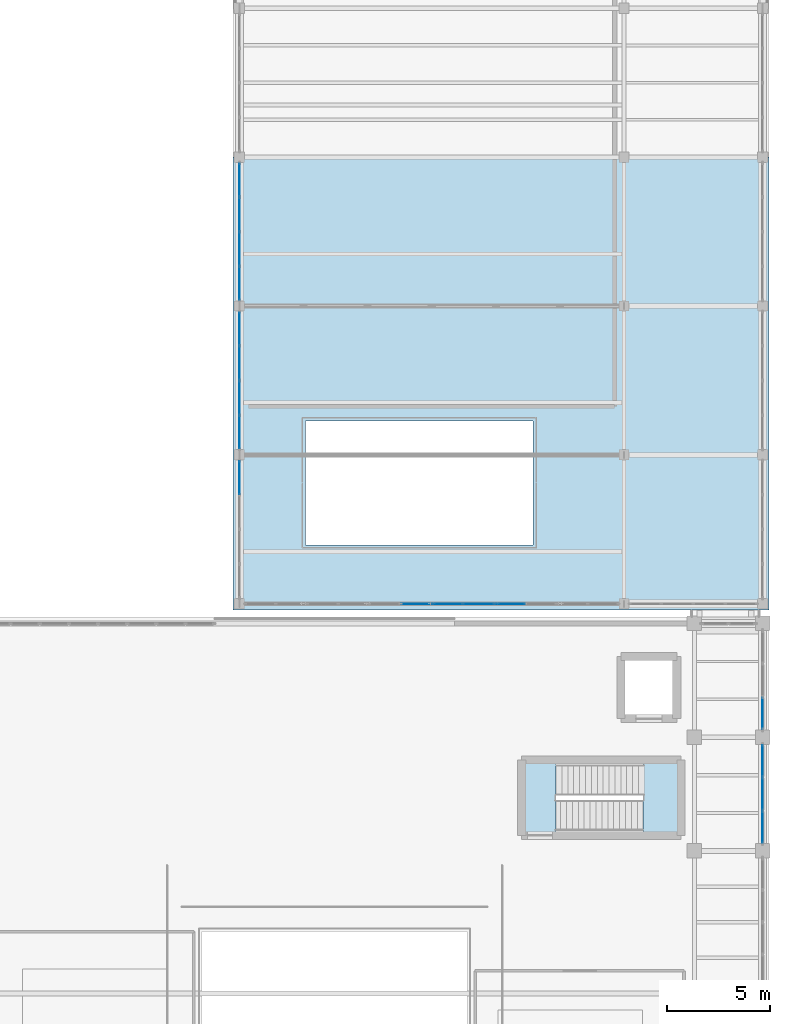
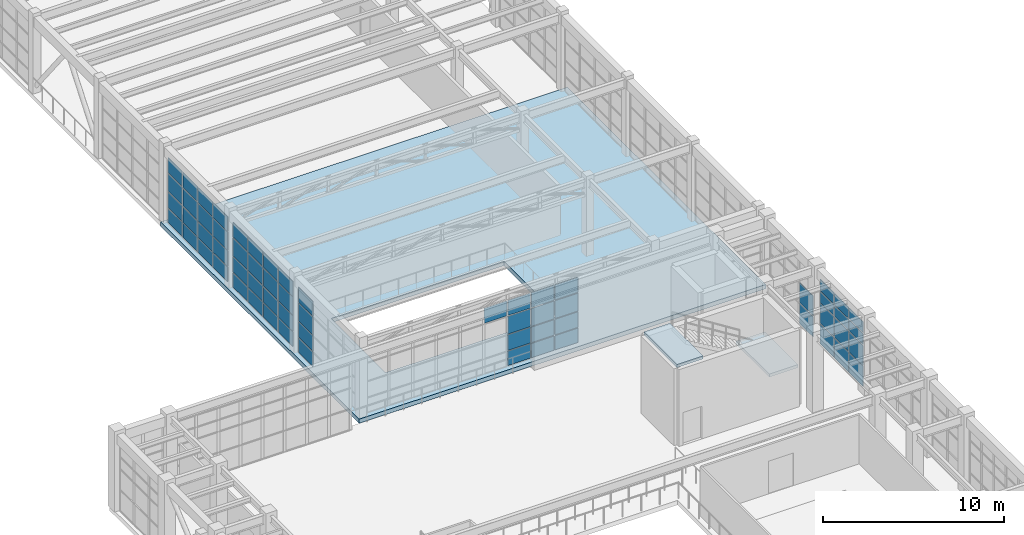
# One storey, part 78 of 103: 63 plates, 3 slabs, 7 elements without a shape of their own.
"""IFC4 building model written with IfcOpenShell, lengths in metres."""

from ifc_helpers import new_model, si_unit, direction, frame, origin, origin_2d, place, context, subcontext, project, spatial, polyline, rectangle, outline, extrude, material, layer, layer_set, type_object, element, aggregate, save


model = new_model("IFC4")

# Units and contexts
model_context = context("Model", 3, precision=1e-05, world=origin(), true_north=direction((0.0, 1.0)))
body_context = subcontext(model_context, "Body", "Model", "MODEL_VIEW")
ifc_project = project(units=[si_unit("LENGTHUNIT", "METRE"), si_unit("AREAUNIT", "SQUARE_METRE"), si_unit("VOLUMEUNIT", "CUBIC_METRE"), si_unit("PLANEANGLEUNIT", "RADIAN"), si_unit("MASSUNIT", "GRAM", prefix="KILO")], contexts=[model_context])

# Site, building, storey
site_placement = place(None, origin())
site = spatial("IfcSite", under=ifc_project, at=site_placement, CompositionType="ELEMENT")
building_placement = place(site_placement, origin())
building = spatial("IfcBuilding", under=site, at=building_placement, Name="Candilejo Ridge Gondola Terminal", CompositionType="ELEMENT")
storey_placement = place(building_placement, frame((0.0, 0.0, 9.0)))
storey = spatial("IfcBuildingStorey", under=building, at=storey_placement, Name="L02", CompositionType="ELEMENT", Elevation=9.0)

# Curtain wall, plates
ifc_material_1 = material(Name="Anodised aluminium AA 6063-T6", Category="aluminium")
ifc_layer_1 = layer(ifc_material_1, 0.169921875)
ifc_layer_set_1 = layer_set([ifc_layer_1], Name="ARC-CW-HALL-3800-485X449")
curtain_wall_type_1 = type_object("IfcCurtainWallType", Name="ARC-CW-HALL-3800-485X449", PredefinedType="NOTDEFINED", material=ifc_layer_set_1)
curtain_wall_1_placement = place(storey_placement, origin())
curtain_wall_1 = element("IfcCurtainWall", 1, at=curtain_wall_1_placement, inside=storey, type_object=curtain_wall_type_1, Name="Curtain wall V4 L02-141", PredefinedType="NOTDEFINED")
ifc_material_2 = material(Name="Low-E laminated double glazing 6+12A+6+1.52PVB+6 mm", Category="glass")
ifc_layer_2 = layer(ifc_material_2, 0.028076171875)
ifc_layer_set_2 = layer_set([ifc_layer_2], Name="ARC-CW-GLAZ-PANEL")
plate_type = type_object("IfcPlateType", Name="ARC-CW-GLAZ-PANEL", PredefinedType="CURTAIN_PANEL", material=ifc_layer_set_2)
plate_1_placement = place(storey_placement, frame((175.300048828125, 37.849609375, 0.06005859375), z_axis=(0.0, 0.0, 1.0), x_axis=(0.0, 1.0, 0.0)))
plate_1 = element("IfcPlate", 2, at=plate_1_placement, type_object=plate_type, Name="CW-48X44 panel 1.1", PredefinedType="CURTAIN_PANEL", context=body_context, shape_type="SweptSolid", body=[
    extrude(rectangle(XDim=1.519287109375, YDim=0.028076171875, at=origin_2d()), origin(), (0.0, 0.0, 1.0), 1.360107421875),
])
plate_2_placement = place(storey_placement, frame((175.300048828125, 37.849609375, 1.47998046875), z_axis=(0.0, 0.0, 1.0), x_axis=(0.0, 1.0, 0.0)))
plate_2 = element("IfcPlate", 3, at=plate_2_placement, type_object=plate_type, Name="CW-48X44 panel 1.2", PredefinedType="CURTAIN_PANEL", context=body_context, shape_type="SweptSolid", body=[
    extrude(rectangle(XDim=1.519287109375, YDim=0.028076171875, at=origin_2d()), origin(), (0.0, 0.0, 1.0), 1.340087890625),
])
plate_3_placement = place(storey_placement, frame((175.300048828125, 37.849609375, 2.8798828125), z_axis=(0.0, 0.0, 1.0), x_axis=(0.0, 1.0, 0.0)))
plate_3 = element("IfcPlate", 4, at=plate_3_placement, type_object=plate_type, Name="CW-48X44 panel 1.3", PredefinedType="CURTAIN_PANEL", context=body_context, shape_type="SweptSolid", body=[
    extrude(rectangle(XDim=1.519287109375, YDim=0.028076171875, at=origin_2d()), origin(), (0.0, 0.0, 1.0), 0.739990234375),
])
plate_4_placement = place(storey_placement, frame((175.300048828125, 37.849609375, 3.679931640625), z_axis=(0.0, 0.0, 1.0), x_axis=(0.0, 1.0, 0.0)))
plate_4 = element("IfcPlate", 5, at=plate_4_placement, type_object=plate_type, Name="CW-48X44 panel 1.4", PredefinedType="CURTAIN_PANEL", context=body_context, shape_type="SweptSolid", body=[
    extrude(rectangle(XDim=1.519287109375, YDim=0.028076171875, at=origin_2d()), origin(), (0.0, 0.0, 1.0), 0.75),
])
plate_5_placement = place(storey_placement, frame((175.300048828125, 39.449951171875, 0.06005859375), z_axis=(0.0, 0.0, 1.0), x_axis=(0.0, 1.0, 0.0)))
plate_5 = element("IfcPlate", 6, at=plate_5_placement, type_object=plate_type, Name="CW-48X44 panel 2.1", PredefinedType="CURTAIN_PANEL", context=body_context, shape_type="SweptSolid", body=[
    extrude(rectangle(XDim=1.5517578125, YDim=0.028076171875, at=origin_2d()), origin(), (0.0, 0.0, 1.0), 1.360107421875),
])
plate_6_placement = place(storey_placement, frame((175.300048828125, 39.449951171875, 1.47998046875), z_axis=(0.0, 0.0, 1.0), x_axis=(0.0, 1.0, 0.0)))
plate_6 = element("IfcPlate", 7, at=plate_6_placement, type_object=plate_type, Name="CW-48X44 panel 2.2", PredefinedType="CURTAIN_PANEL", context=body_context, shape_type="SweptSolid", body=[
    extrude(rectangle(XDim=1.5517578125, YDim=0.028076171875, at=origin_2d()), origin(), (0.0, 0.0, 1.0), 1.340087890625),
])
plate_7_placement = place(storey_placement, frame((175.300048828125, 39.449951171875, 2.8798828125), z_axis=(0.0, 0.0, 1.0), x_axis=(0.0, 1.0, 0.0)))
plate_7 = element("IfcPlate", 8, at=plate_7_placement, type_object=plate_type, Name="CW-48X44 panel 2.3", PredefinedType="CURTAIN_PANEL", context=body_context, shape_type="SweptSolid", body=[
    extrude(rectangle(XDim=1.5517578125, YDim=0.028076171875, at=origin_2d()), origin(), (0.0, 0.0, 1.0), 0.739990234375),
])
plate_8_placement = place(storey_placement, frame((175.300048828125, 39.449951171875, 3.679931640625), z_axis=(0.0, 0.0, 1.0), x_axis=(0.0, 1.0, 0.0)))
plate_8 = element("IfcPlate", 9, at=plate_8_placement, type_object=plate_type, Name="CW-48X44 panel 2.4", PredefinedType="CURTAIN_PANEL", context=body_context, shape_type="SweptSolid", body=[
    extrude(rectangle(XDim=1.5517578125, YDim=0.028076171875, at=origin_2d()), origin(), (0.0, 0.0, 1.0), 0.75),
])
plate_9_placement = place(storey_placement, frame((175.300048828125, 41.050537109375, 0.06005859375), z_axis=(0.0, 0.0, 1.0), x_axis=(0.0, 1.0, 0.0)))
plate_9 = element("IfcPlate", 10, at=plate_9_placement, type_object=plate_type, Name="CW-48X44 panel 3.1", PredefinedType="CURTAIN_PANEL", context=body_context, shape_type="SweptSolid", body=[
    extrude(rectangle(XDim=1.519287109375, YDim=0.028076171875, at=origin_2d()), origin(), (0.0, 0.0, 1.0), 1.360107421875),
])
plate_10_placement = place(storey_placement, frame((175.300048828125, 41.050537109375, 1.47998046875), z_axis=(0.0, 0.0, 1.0), x_axis=(0.0, 1.0, 0.0)))
plate_10 = element("IfcPlate", 11, at=plate_10_placement, type_object=plate_type, Name="CW-48X44 panel 3.2", PredefinedType="CURTAIN_PANEL", context=body_context, shape_type="SweptSolid", body=[
    extrude(rectangle(XDim=1.519287109375, YDim=0.028076171875, at=origin_2d()), origin(), (0.0, 0.0, 1.0), 1.340087890625),
])
plate_11_placement = place(storey_placement, frame((175.300048828125, 41.050537109375, 2.8798828125), z_axis=(0.0, 0.0, 1.0), x_axis=(0.0, 1.0, 0.0)))
plate_11 = element("IfcPlate", 12, at=plate_11_placement, type_object=plate_type, Name="CW-48X44 panel 3.3", PredefinedType="CURTAIN_PANEL", context=body_context, shape_type="SweptSolid", body=[
    extrude(rectangle(XDim=1.519287109375, YDim=0.028076171875, at=origin_2d()), origin(), (0.0, 0.0, 1.0), 0.739990234375),
])
plate_12_placement = place(storey_placement, frame((175.300048828125, 41.050537109375, 3.679931640625), z_axis=(0.0, 0.0, 1.0), x_axis=(0.0, 1.0, 0.0)))
plate_12 = element("IfcPlate", 13, at=plate_12_placement, type_object=plate_type, Name="CW-48X44 panel 3.4", PredefinedType="CURTAIN_PANEL", context=body_context, shape_type="SweptSolid", body=[
    extrude(rectangle(XDim=1.519287109375, YDim=0.028076171875, at=origin_2d()), origin(), (0.0, 0.0, 1.0), 0.75),
])
aggregate(curtain_wall_1, [plate_1, plate_2, plate_3, plate_4, plate_5, plate_6, plate_7, plate_8, plate_9, plate_10, plate_11, plate_12])

curtain_wall_2_placement = place(storey_placement, origin())
curtain_wall_2 = element("IfcCurtainWall", 14, at=curtain_wall_2_placement, inside=storey, type_object=curtain_wall_type_1, Name="Curtain wall V4 L02-143", PredefinedType="NOTDEFINED")
plate_13_placement = place(storey_placement, frame((175.300048828125, 43.349609375, 0.06005859375), z_axis=(0.0, 0.0, 1.0), x_axis=(0.0, 1.0, 0.0)))
plate_13 = element("IfcPlate", 15, at=plate_13_placement, type_object=plate_type, Name="CW-48X44 panel 1.1", PredefinedType="CURTAIN_PANEL", context=body_context, shape_type="SweptSolid", body=[
    extrude(rectangle(XDim=1.519287109375, YDim=0.028076171875, at=origin_2d()), origin(), (0.0, 0.0, 1.0), 1.360107421875),
])
plate_14_placement = place(storey_placement, frame((175.300048828125, 43.349609375, 1.47998046875), z_axis=(0.0, 0.0, 1.0), x_axis=(0.0, 1.0, 0.0)))
plate_14 = element("IfcPlate", 16, at=plate_14_placement, type_object=plate_type, Name="CW-48X44 panel 1.2", PredefinedType="CURTAIN_PANEL", context=body_context, shape_type="SweptSolid", body=[
    extrude(rectangle(XDim=1.519287109375, YDim=0.028076171875, at=origin_2d()), origin(), (0.0, 0.0, 1.0), 1.340087890625),
])
aggregate(curtain_wall_2, [plate_13, plate_14])

ifc_material_3 = material(Name="Anodised aluminium AA 6063-T6", Category="aluminium")
ifc_layer_3 = layer(ifc_material_3, 0.169921875)
ifc_layer_set_3 = layer_set([ifc_layer_3], Name="ARC-CW-TOWER-3000-670X449")
curtain_wall_type_2 = type_object("IfcCurtainWallType", Name="ARC-CW-TOWER-3000-670X449", PredefinedType="NOTDEFINED", material=ifc_layer_set_3)
curtain_wall_3_placement = place(storey_placement, origin())
curtain_wall_3 = element("IfcCurtainWall", 17, at=curtain_wall_3_placement, inside=storey, type_object=curtain_wall_type_2, Name="Curtain wall V5 L02-174", PredefinedType="NOTDEFINED")
plate_15_placement = place(storey_placement, frame((150.0, 54.746337890625, 0.06005859375), z_axis=(0.0, 0.0, 1.0), x_axis=(0.0, 1.0, 0.0)))
plate_15 = element("IfcPlate", 18, at=plate_15_placement, type_object=plate_type, Name="CW-67X44 panel 4.1", PredefinedType="CURTAIN_PANEL", context=body_context, shape_type="SweptSolid", body=[
    extrude(rectangle(XDim=1.577392578125, YDim=0.028076171875, at=origin_2d()), origin(), (0.0, 0.0, 1.0), 0.9599609375),
])
plate_16_placement = place(storey_placement, frame((150.0, 54.746337890625, 1.080078125), z_axis=(0.0, 0.0, 1.0), x_axis=(0.0, 1.0, 0.0)))
plate_16 = element("IfcPlate", 19, at=plate_16_placement, type_object=plate_type, Name="CW-67X44 panel 4.2", PredefinedType="CURTAIN_PANEL", context=body_context, shape_type="SweptSolid", body=[
    extrude(rectangle(XDim=1.577392578125, YDim=0.028076171875, at=origin_2d()), origin(), (0.0, 0.0, 1.0), 1.0400390625),
])
plate_17_placement = place(storey_placement, frame((150.0, 54.746337890625, 2.179931640625), z_axis=(0.0, 0.0, 1.0), x_axis=(0.0, 1.0, 0.0)))
plate_17 = element("IfcPlate", 20, at=plate_17_placement, type_object=plate_type, Name="CW-67X44 panel 4.3", PredefinedType="CURTAIN_PANEL", context=body_context, shape_type="SweptSolid", body=[
    extrude(rectangle(XDim=1.577392578125, YDim=0.028076171875, at=origin_2d()), origin(), (0.0, 0.0, 1.0), 1.18994140625),
])
plate_18_placement = place(storey_placement, frame((150.0, 54.746337890625, 3.429931640625), z_axis=(0.0, 0.0, 1.0), x_axis=(0.0, 1.0, 0.0)))
plate_18 = element("IfcPlate", 21, at=plate_18_placement, type_object=plate_type, Name="CW-67X44 panel 4.4", PredefinedType="CURTAIN_PANEL", context=body_context, shape_type="SweptSolid", body=[
    extrude(rectangle(XDim=1.577392578125, YDim=0.028076171875, at=origin_2d()), origin(), (0.0, 0.0, 1.0), 1.0),
])
aggregate(curtain_wall_3, [plate_15, plate_16, plate_17, plate_18])

curtain_wall_4_placement = place(storey_placement, origin())
curtain_wall_4 = element("IfcCurtainWall", 22, at=curtain_wall_4_placement, inside=storey, type_object=curtain_wall_type_2, Name="Curtain wall V5 L02-176", PredefinedType="NOTDEFINED")
plate_19_placement = place(storey_placement, frame((150.0, 56.953857421875, 0.06005859375), z_axis=(0.0, 0.0, 1.0), x_axis=(0.0, 1.0, 0.0)))
plate_19 = element("IfcPlate", 23, at=plate_19_placement, type_object=plate_type, Name="CW-67X44 panel 1.1", PredefinedType="CURTAIN_PANEL", context=body_context, shape_type="SweptSolid", body=[
    extrude(rectangle(XDim=1.577392578125, YDim=0.028076171875, at=origin_2d()), origin(), (0.0, 0.0, 1.0), 0.9599609375),
])
plate_20_placement = place(storey_placement, frame((150.0, 56.953857421875, 1.080078125), z_axis=(0.0, 0.0, 1.0), x_axis=(0.0, 1.0, 0.0)))
plate_20 = element("IfcPlate", 24, at=plate_20_placement, type_object=plate_type, Name="CW-67X44 panel 1.2", PredefinedType="CURTAIN_PANEL", context=body_context, shape_type="SweptSolid", body=[
    extrude(rectangle(XDim=1.577392578125, YDim=0.028076171875, at=origin_2d()), origin(), (0.0, 0.0, 1.0), 1.0400390625),
])
plate_21_placement = place(storey_placement, frame((150.0, 56.953857421875, 2.179931640625), z_axis=(0.0, 0.0, 1.0), x_axis=(0.0, 1.0, 0.0)))
plate_21 = element("IfcPlate", 25, at=plate_21_placement, type_object=plate_type, Name="CW-67X44 panel 1.3", PredefinedType="CURTAIN_PANEL", context=body_context, shape_type="SweptSolid", body=[
    extrude(rectangle(XDim=1.577392578125, YDim=0.028076171875, at=origin_2d()), origin(), (0.0, 0.0, 1.0), 1.18994140625),
])
plate_22_placement = place(storey_placement, frame((150.0, 56.953857421875, 3.429931640625), z_axis=(0.0, 0.0, 1.0), x_axis=(0.0, 1.0, 0.0)))
plate_22 = element("IfcPlate", 26, at=plate_22_placement, type_object=plate_type, Name="CW-67X44 panel 1.4", PredefinedType="CURTAIN_PANEL", context=body_context, shape_type="SweptSolid", body=[
    extrude(rectangle(XDim=1.577392578125, YDim=0.028076171875, at=origin_2d()), origin(), (0.0, 0.0, 1.0), 1.0),
])
plate_23_placement = place(storey_placement, frame((150.0, 58.612548828125, 0.06005859375), z_axis=(0.0, 0.0, 1.0), x_axis=(0.0, 1.0, 0.0)))
plate_23 = element("IfcPlate", 27, at=plate_23_placement, type_object=plate_type, Name="CW-67X44 panel 2.1", PredefinedType="CURTAIN_PANEL", context=body_context, shape_type="SweptSolid", body=[
    extrude(rectangle(XDim=1.610107421875, YDim=0.028076171875, at=origin_2d()), origin(), (0.0, 0.0, 1.0), 0.9599609375),
])
plate_24_placement = place(storey_placement, frame((150.0, 58.612548828125, 1.080078125), z_axis=(0.0, 0.0, 1.0), x_axis=(0.0, 1.0, 0.0)))
plate_24 = element("IfcPlate", 28, at=plate_24_placement, type_object=plate_type, Name="CW-67X44 panel 2.2", PredefinedType="CURTAIN_PANEL", context=body_context, shape_type="SweptSolid", body=[
    extrude(rectangle(XDim=1.610107421875, YDim=0.028076171875, at=origin_2d()), origin(), (0.0, 0.0, 1.0), 1.0400390625),
])
plate_25_placement = place(storey_placement, frame((150.0, 58.612548828125, 2.179931640625), z_axis=(0.0, 0.0, 1.0), x_axis=(0.0, 1.0, 0.0)))
plate_25 = element("IfcPlate", 29, at=plate_25_placement, type_object=plate_type, Name="CW-67X44 panel 2.3", PredefinedType="CURTAIN_PANEL", context=body_context, shape_type="SweptSolid", body=[
    extrude(rectangle(XDim=1.610107421875, YDim=0.028076171875, at=origin_2d()), origin(), (0.0, 0.0, 1.0), 1.18994140625),
])
plate_26_placement = place(storey_placement, frame((150.0, 58.612548828125, 3.429931640625), z_axis=(0.0, 0.0, 1.0), x_axis=(0.0, 1.0, 0.0)))
plate_26 = element("IfcPlate", 30, at=plate_26_placement, type_object=plate_type, Name="CW-67X44 panel 2.4", PredefinedType="CURTAIN_PANEL", context=body_context, shape_type="SweptSolid", body=[
    extrude(rectangle(XDim=1.610107421875, YDim=0.028076171875, at=origin_2d()), origin(), (0.0, 0.0, 1.0), 1.0),
])
plate_27_placement = place(storey_placement, frame((150.0, 60.28759765625, 0.06005859375), z_axis=(0.0, 0.0, 1.0), x_axis=(0.0, 1.0, 0.0)))
plate_27 = element("IfcPlate", 31, at=plate_27_placement, type_object=plate_type, Name="CW-67X44 panel 3.1", PredefinedType="CURTAIN_PANEL", context=body_context, shape_type="SweptSolid", body=[
    extrude(rectangle(XDim=1.610107421875, YDim=0.028076171875, at=origin_2d()), origin(), (0.0, 0.0, 1.0), 0.9599609375),
])
plate_28_placement = place(storey_placement, frame((150.0, 60.28759765625, 1.080078125), z_axis=(0.0, 0.0, 1.0), x_axis=(0.0, 1.0, 0.0)))
plate_28 = element("IfcPlate", 32, at=plate_28_placement, type_object=plate_type, Name="CW-67X44 panel 3.2", PredefinedType="CURTAIN_PANEL", context=body_context, shape_type="SweptSolid", body=[
    extrude(rectangle(XDim=1.610107421875, YDim=0.028076171875, at=origin_2d()), origin(), (0.0, 0.0, 1.0), 1.0400390625),
])
plate_29_placement = place(storey_placement, frame((150.0, 60.28759765625, 2.179931640625), z_axis=(0.0, 0.0, 1.0), x_axis=(0.0, 1.0, 0.0)))
plate_29 = element("IfcPlate", 33, at=plate_29_placement, type_object=plate_type, Name="CW-67X44 panel 3.3", PredefinedType="CURTAIN_PANEL", context=body_context, shape_type="SweptSolid", body=[
    extrude(rectangle(XDim=1.610107421875, YDim=0.028076171875, at=origin_2d()), origin(), (0.0, 0.0, 1.0), 1.18994140625),
])
plate_30_placement = place(storey_placement, frame((150.0, 60.28759765625, 3.429931640625), z_axis=(0.0, 0.0, 1.0), x_axis=(0.0, 1.0, 0.0)))
plate_30 = element("IfcPlate", 34, at=plate_30_placement, type_object=plate_type, Name="CW-67X44 panel 3.4", PredefinedType="CURTAIN_PANEL", context=body_context, shape_type="SweptSolid", body=[
    extrude(rectangle(XDim=1.610107421875, YDim=0.028076171875, at=origin_2d()), origin(), (0.0, 0.0, 1.0), 1.0),
])
plate_31_placement = place(storey_placement, frame((150.0, 61.9462890625, 0.06005859375), z_axis=(0.0, 0.0, 1.0), x_axis=(0.0, 1.0, 0.0)))
plate_31 = element("IfcPlate", 35, at=plate_31_placement, type_object=plate_type, Name="CW-67X44 panel 4.1", PredefinedType="CURTAIN_PANEL", context=body_context, shape_type="SweptSolid", body=[
    extrude(rectangle(XDim=1.577392578125, YDim=0.028076171875, at=origin_2d()), origin(), (0.0, 0.0, 1.0), 0.9599609375),
])
plate_32_placement = place(storey_placement, frame((150.0, 61.9462890625, 1.080078125), z_axis=(0.0, 0.0, 1.0), x_axis=(0.0, 1.0, 0.0)))
plate_32 = element("IfcPlate", 36, at=plate_32_placement, type_object=plate_type, Name="CW-67X44 panel 4.2", PredefinedType="CURTAIN_PANEL", context=body_context, shape_type="SweptSolid", body=[
    extrude(rectangle(XDim=1.577392578125, YDim=0.028076171875, at=origin_2d()), origin(), (0.0, 0.0, 1.0), 1.0400390625),
])
plate_33_placement = place(storey_placement, frame((150.0, 61.9462890625, 2.179931640625), z_axis=(0.0, 0.0, 1.0), x_axis=(0.0, 1.0, 0.0)))
plate_33 = element("IfcPlate", 37, at=plate_33_placement, type_object=plate_type, Name="CW-67X44 panel 4.3", PredefinedType="CURTAIN_PANEL", context=body_context, shape_type="SweptSolid", body=[
    extrude(rectangle(XDim=1.577392578125, YDim=0.028076171875, at=origin_2d()), origin(), (0.0, 0.0, 1.0), 1.18994140625),
])
plate_34_placement = place(storey_placement, frame((150.0, 61.9462890625, 3.429931640625), z_axis=(0.0, 0.0, 1.0), x_axis=(0.0, 1.0, 0.0)))
plate_34 = element("IfcPlate", 38, at=plate_34_placement, type_object=plate_type, Name="CW-67X44 panel 4.4", PredefinedType="CURTAIN_PANEL", context=body_context, shape_type="SweptSolid", body=[
    extrude(rectangle(XDim=1.577392578125, YDim=0.028076171875, at=origin_2d()), origin(), (0.0, 0.0, 1.0), 1.0),
])
aggregate(curtain_wall_4, [plate_19, plate_20, plate_21, plate_22, plate_23, plate_24, plate_25, plate_26, plate_27, plate_28, plate_29, plate_30, plate_31, plate_32, plate_33, plate_34])

curtain_wall_5_placement = place(storey_placement, origin())
curtain_wall_5 = element("IfcCurtainWall", 39, at=curtain_wall_5_placement, inside=storey, type_object=curtain_wall_type_2, Name="Curtain wall V5 L02-178", PredefinedType="NOTDEFINED")
plate_35_placement = place(storey_placement, frame((150.0, 64.15380859375, 0.06005859375), z_axis=(0.0, 0.0, 1.0), x_axis=(0.0, 1.0, 0.0)))
plate_35 = element("IfcPlate", 40, at=plate_35_placement, type_object=plate_type, Name="CW-67X44 panel 1.1", PredefinedType="CURTAIN_PANEL", context=body_context, shape_type="SweptSolid", body=[
    extrude(rectangle(XDim=1.577392578125, YDim=0.028076171875, at=origin_2d()), origin(), (0.0, 0.0, 1.0), 0.9599609375),
])
plate_36_placement = place(storey_placement, frame((150.0, 64.15380859375, 1.080078125), z_axis=(0.0, 0.0, 1.0), x_axis=(0.0, 1.0, 0.0)))
plate_36 = element("IfcPlate", 41, at=plate_36_placement, type_object=plate_type, Name="CW-67X44 panel 1.2", PredefinedType="CURTAIN_PANEL", context=body_context, shape_type="SweptSolid", body=[
    extrude(rectangle(XDim=1.577392578125, YDim=0.028076171875, at=origin_2d()), origin(), (0.0, 0.0, 1.0), 1.0400390625),
])
plate_37_placement = place(storey_placement, frame((150.0, 64.15380859375, 2.179931640625), z_axis=(0.0, 0.0, 1.0), x_axis=(0.0, 1.0, 0.0)))
plate_37 = element("IfcPlate", 42, at=plate_37_placement, type_object=plate_type, Name="CW-67X44 panel 1.3", PredefinedType="CURTAIN_PANEL", context=body_context, shape_type="SweptSolid", body=[
    extrude(rectangle(XDim=1.577392578125, YDim=0.028076171875, at=origin_2d()), origin(), (0.0, 0.0, 1.0), 1.18994140625),
])
plate_38_placement = place(storey_placement, frame((150.0, 64.15380859375, 3.429931640625), z_axis=(0.0, 0.0, 1.0), x_axis=(0.0, 1.0, 0.0)))
plate_38 = element("IfcPlate", 43, at=plate_38_placement, type_object=plate_type, Name="CW-67X44 panel 1.4", PredefinedType="CURTAIN_PANEL", context=body_context, shape_type="SweptSolid", body=[
    extrude(rectangle(XDim=1.577392578125, YDim=0.028076171875, at=origin_2d()), origin(), (0.0, 0.0, 1.0), 1.0),
])
plate_39_placement = place(storey_placement, frame((150.0, 65.8125, 0.06005859375), z_axis=(0.0, 0.0, 1.0), x_axis=(0.0, 1.0, 0.0)))
plate_39 = element("IfcPlate", 44, at=plate_39_placement, type_object=plate_type, Name="CW-67X44 panel 2.1", PredefinedType="CURTAIN_PANEL", context=body_context, shape_type="SweptSolid", body=[
    extrude(rectangle(XDim=1.610107421875, YDim=0.028076171875, at=origin_2d()), origin(), (0.0, 0.0, 1.0), 0.9599609375),
])
plate_40_placement = place(storey_placement, frame((150.0, 65.8125, 1.080078125), z_axis=(0.0, 0.0, 1.0), x_axis=(0.0, 1.0, 0.0)))
plate_40 = element("IfcPlate", 45, at=plate_40_placement, type_object=plate_type, Name="CW-67X44 panel 2.2", PredefinedType="CURTAIN_PANEL", context=body_context, shape_type="SweptSolid", body=[
    extrude(rectangle(XDim=1.610107421875, YDim=0.028076171875, at=origin_2d()), origin(), (0.0, 0.0, 1.0), 1.0400390625),
])
plate_41_placement = place(storey_placement, frame((150.0, 65.8125, 2.179931640625), z_axis=(0.0, 0.0, 1.0), x_axis=(0.0, 1.0, 0.0)))
plate_41 = element("IfcPlate", 46, at=plate_41_placement, type_object=plate_type, Name="CW-67X44 panel 2.3", PredefinedType="CURTAIN_PANEL", context=body_context, shape_type="SweptSolid", body=[
    extrude(rectangle(XDim=1.610107421875, YDim=0.028076171875, at=origin_2d()), origin(), (0.0, 0.0, 1.0), 1.18994140625),
])
plate_42_placement = place(storey_placement, frame((150.0, 65.8125, 3.429931640625), z_axis=(0.0, 0.0, 1.0), x_axis=(0.0, 1.0, 0.0)))
plate_42 = element("IfcPlate", 47, at=plate_42_placement, type_object=plate_type, Name="CW-67X44 panel 2.4", PredefinedType="CURTAIN_PANEL", context=body_context, shape_type="SweptSolid", body=[
    extrude(rectangle(XDim=1.610107421875, YDim=0.028076171875, at=origin_2d()), origin(), (0.0, 0.0, 1.0), 1.0),
])
plate_43_placement = place(storey_placement, frame((150.0, 67.487548828125, 0.06005859375), z_axis=(0.0, 0.0, 1.0), x_axis=(0.0, 1.0, 0.0)))
plate_43 = element("IfcPlate", 48, at=plate_43_placement, type_object=plate_type, Name="CW-67X44 panel 3.1", PredefinedType="CURTAIN_PANEL", context=body_context, shape_type="SweptSolid", body=[
    extrude(rectangle(XDim=1.610107421875, YDim=0.028076171875, at=origin_2d()), origin(), (0.0, 0.0, 1.0), 0.9599609375),
])
plate_44_placement = place(storey_placement, frame((150.0, 67.487548828125, 1.080078125), z_axis=(0.0, 0.0, 1.0), x_axis=(0.0, 1.0, 0.0)))
plate_44 = element("IfcPlate", 49, at=plate_44_placement, type_object=plate_type, Name="CW-67X44 panel 3.2", PredefinedType="CURTAIN_PANEL", context=body_context, shape_type="SweptSolid", body=[
    extrude(rectangle(XDim=1.610107421875, YDim=0.028076171875, at=origin_2d()), origin(), (0.0, 0.0, 1.0), 1.0400390625),
])
plate_45_placement = place(storey_placement, frame((150.0, 67.487548828125, 2.179931640625), z_axis=(0.0, 0.0, 1.0), x_axis=(0.0, 1.0, 0.0)))
plate_45 = element("IfcPlate", 50, at=plate_45_placement, type_object=plate_type, Name="CW-67X44 panel 3.3", PredefinedType="CURTAIN_PANEL", context=body_context, shape_type="SweptSolid", body=[
    extrude(rectangle(XDim=1.610107421875, YDim=0.028076171875, at=origin_2d()), origin(), (0.0, 0.0, 1.0), 1.18994140625),
])
plate_46_placement = place(storey_placement, frame((150.0, 67.487548828125, 3.429931640625), z_axis=(0.0, 0.0, 1.0), x_axis=(0.0, 1.0, 0.0)))
plate_46 = element("IfcPlate", 51, at=plate_46_placement, type_object=plate_type, Name="CW-67X44 panel 3.4", PredefinedType="CURTAIN_PANEL", context=body_context, shape_type="SweptSolid", body=[
    extrude(rectangle(XDim=1.610107421875, YDim=0.028076171875, at=origin_2d()), origin(), (0.0, 0.0, 1.0), 1.0),
])
plate_47_placement = place(storey_placement, frame((150.0, 69.146240234375, 0.06005859375), z_axis=(0.0, 0.0, 1.0), x_axis=(0.0, 1.0, 0.0)))
plate_47 = element("IfcPlate", 52, at=plate_47_placement, type_object=plate_type, Name="CW-67X44 panel 4.1", PredefinedType="CURTAIN_PANEL", context=body_context, shape_type="SweptSolid", body=[
    extrude(rectangle(XDim=1.577392578125, YDim=0.028076171875, at=origin_2d()), origin(), (0.0, 0.0, 1.0), 0.9599609375),
])
plate_48_placement = place(storey_placement, frame((150.0, 69.146240234375, 1.080078125), z_axis=(0.0, 0.0, 1.0), x_axis=(0.0, 1.0, 0.0)))
plate_48 = element("IfcPlate", 53, at=plate_48_placement, type_object=plate_type, Name="CW-67X44 panel 4.2", PredefinedType="CURTAIN_PANEL", context=body_context, shape_type="SweptSolid", body=[
    extrude(rectangle(XDim=1.577392578125, YDim=0.028076171875, at=origin_2d()), origin(), (0.0, 0.0, 1.0), 1.0400390625),
])
plate_49_placement = place(storey_placement, frame((150.0, 69.146240234375, 2.179931640625), z_axis=(0.0, 0.0, 1.0), x_axis=(0.0, 1.0, 0.0)))
plate_49 = element("IfcPlate", 54, at=plate_49_placement, type_object=plate_type, Name="CW-67X44 panel 4.3", PredefinedType="CURTAIN_PANEL", context=body_context, shape_type="SweptSolid", body=[
    extrude(rectangle(XDim=1.577392578125, YDim=0.028076171875, at=origin_2d()), origin(), (0.0, 0.0, 1.0), 1.18994140625),
])
plate_50_placement = place(storey_placement, frame((150.0, 69.146240234375, 3.429931640625), z_axis=(0.0, 0.0, 1.0), x_axis=(0.0, 1.0, 0.0)))
plate_50 = element("IfcPlate", 55, at=plate_50_placement, type_object=plate_type, Name="CW-67X44 panel 4.4", PredefinedType="CURTAIN_PANEL", context=body_context, shape_type="SweptSolid", body=[
    extrude(rectangle(XDim=1.577392578125, YDim=0.028076171875, at=origin_2d()), origin(), (0.0, 0.0, 1.0), 1.0),
])
aggregate(curtain_wall_5, [plate_35, plate_36, plate_37, plate_38, plate_39, plate_40, plate_41, plate_42, plate_43, plate_44, plate_45, plate_46, plate_47, plate_48, plate_49, plate_50])

ifc_material_4 = material(Name="Anodised aluminium AA 6063-T6", Category="aluminium")
ifc_layer_4 = layer(ifc_material_4, 0.169921875)
ifc_layer_set_4 = layer_set([ifc_layer_4], Name="ARC-CW-TOWER-3000-1810X449")
curtain_wall_type_3 = type_object("IfcCurtainWallType", Name="ARC-CW-TOWER-3000-1810X449", PredefinedType="NOTDEFINED", material=ifc_layer_set_4)
curtain_wall_6_placement = place(storey_placement, origin())
curtain_wall_6 = element("IfcCurtainWall", 56, at=curtain_wall_6_placement, inside=storey, type_object=curtain_wall_type_3, Name="Curtain wall V5 L02-192", PredefinedType="NOTDEFINED")
plate_51_placement = place(storey_placement, frame((158.5458984375, 48.64990234375, 3.429931640625), z_axis=(0.0, 0.0, 1.0), x_axis=(1.0, 0.0, 0.0)))
plate_51 = element("IfcPlate", 57, at=plate_51_placement, type_object=plate_type, Name="CW-181X44 panel 6.4", PredefinedType="CURTAIN_PANEL", context=body_context, shape_type="SweptSolid", body=[
    extrude(rectangle(XDim=1.443359375, YDim=0.028076171875, at=origin_2d()), origin(), (0.0, 0.0, 1.0), 1.0),
])
plate_52_placement = place(storey_placement, frame((160.05419921875, 48.64990234375, 0.06005859375), z_axis=(0.0, 0.0, 1.0), x_axis=(1.0, 0.0, 0.0)))
plate_52 = element("IfcPlate", 58, at=plate_52_placement, type_object=plate_type, Name="CW-181X44 panel 7.1", PredefinedType="CURTAIN_PANEL", context=body_context, shape_type="SweptSolid", body=[
    extrude(rectangle(XDim=1.443359375, YDim=0.028076171875, at=origin_2d()), origin(), (0.0, 0.0, 1.0), 0.9599609375),
])
plate_53_placement = place(storey_placement, frame((160.05419921875, 48.64990234375, 1.080078125), z_axis=(0.0, 0.0, 1.0), x_axis=(1.0, 0.0, 0.0)))
plate_53 = element("IfcPlate", 59, at=plate_53_placement, type_object=plate_type, Name="CW-181X44 panel 7.2", PredefinedType="CURTAIN_PANEL", context=body_context, shape_type="SweptSolid", body=[
    extrude(rectangle(XDim=1.443359375, YDim=0.028076171875, at=origin_2d()), origin(), (0.0, 0.0, 1.0), 1.0400390625),
])
plate_54_placement = place(storey_placement, frame((160.05419921875, 48.64990234375, 2.179931640625), z_axis=(0.0, 0.0, 1.0), x_axis=(1.0, 0.0, 0.0)))
plate_54 = element("IfcPlate", 60, at=plate_54_placement, type_object=plate_type, Name="CW-181X44 panel 7.3", PredefinedType="CURTAIN_PANEL", context=body_context, shape_type="SweptSolid", body=[
    extrude(rectangle(XDim=1.443359375, YDim=0.028076171875, at=origin_2d()), origin(), (0.0, 0.0, 1.0), 1.18994140625),
])
plate_55_placement = place(storey_placement, frame((160.05419921875, 48.64990234375, 3.429931640625), z_axis=(0.0, 0.0, 1.0), x_axis=(1.0, 0.0, 0.0)))
plate_55 = element("IfcPlate", 61, at=plate_55_placement, type_object=plate_type, Name="CW-181X44 panel 7.4", PredefinedType="CURTAIN_PANEL", context=body_context, shape_type="SweptSolid", body=[
    extrude(rectangle(XDim=1.443359375, YDim=0.028076171875, at=origin_2d()), origin(), (0.0, 0.0, 1.0), 1.0),
])
plate_56_placement = place(storey_placement, frame((161.5625, 48.64990234375, 0.06005859375), z_axis=(0.0, 0.0, 1.0), x_axis=(1.0, 0.0, 0.0)))
plate_56 = element("IfcPlate", 62, at=plate_56_placement, type_object=plate_type, Name="CW-181X44 panel 8.1", PredefinedType="CURTAIN_PANEL", context=body_context, shape_type="SweptSolid", body=[
    extrude(rectangle(XDim=1.443359375, YDim=0.028076171875, at=origin_2d()), origin(), (0.0, 0.0, 1.0), 0.9599609375),
])
plate_57_placement = place(storey_placement, frame((161.5625, 48.64990234375, 1.080078125), z_axis=(0.0, 0.0, 1.0), x_axis=(1.0, 0.0, 0.0)))
plate_57 = element("IfcPlate", 63, at=plate_57_placement, type_object=plate_type, Name="CW-181X44 panel 8.2", PredefinedType="CURTAIN_PANEL", context=body_context, shape_type="SweptSolid", body=[
    extrude(rectangle(XDim=1.443359375, YDim=0.028076171875, at=origin_2d()), origin(), (0.0, 0.0, 1.0), 1.0400390625),
])
plate_58_placement = place(storey_placement, frame((161.5625, 48.64990234375, 2.179931640625), z_axis=(0.0, 0.0, 1.0), x_axis=(1.0, 0.0, 0.0)))
plate_58 = element("IfcPlate", 64, at=plate_58_placement, type_object=plate_type, Name="CW-181X44 panel 8.3", PredefinedType="CURTAIN_PANEL", context=body_context, shape_type="SweptSolid", body=[
    extrude(rectangle(XDim=1.443359375, YDim=0.028076171875, at=origin_2d()), origin(), (0.0, 0.0, 1.0), 1.18994140625),
])
plate_59_placement = place(storey_placement, frame((161.5625, 48.64990234375, 3.429931640625), z_axis=(0.0, 0.0, 1.0), x_axis=(1.0, 0.0, 0.0)))
plate_59 = element("IfcPlate", 65, at=plate_59_placement, type_object=plate_type, Name="CW-181X44 panel 8.4", PredefinedType="CURTAIN_PANEL", context=body_context, shape_type="SweptSolid", body=[
    extrude(rectangle(XDim=1.443359375, YDim=0.028076171875, at=origin_2d()), origin(), (0.0, 0.0, 1.0), 1.0),
])
plate_60_placement = place(storey_placement, frame((163.07080078125, 48.64990234375, 0.06005859375), z_axis=(0.0, 0.0, 1.0), x_axis=(1.0, 0.0, 0.0)))
plate_60 = element("IfcPlate", 66, at=plate_60_placement, type_object=plate_type, Name="CW-181X44 panel 9.1", PredefinedType="CURTAIN_PANEL", context=body_context, shape_type="SweptSolid", body=[
    extrude(rectangle(XDim=1.443359375, YDim=0.028076171875, at=origin_2d()), origin(), (0.0, 0.0, 1.0), 0.9599609375),
])
plate_61_placement = place(storey_placement, frame((163.07080078125, 48.64990234375, 1.080078125), z_axis=(0.0, 0.0, 1.0), x_axis=(1.0, 0.0, 0.0)))
plate_61 = element("IfcPlate", 67, at=plate_61_placement, type_object=plate_type, Name="CW-181X44 panel 9.2", PredefinedType="CURTAIN_PANEL", context=body_context, shape_type="SweptSolid", body=[
    extrude(rectangle(XDim=1.443359375, YDim=0.028076171875, at=origin_2d()), origin(), (0.0, 0.0, 1.0), 1.0400390625),
])
plate_62_placement = place(storey_placement, frame((163.07080078125, 48.64990234375, 2.179931640625), z_axis=(0.0, 0.0, 1.0), x_axis=(1.0, 0.0, 0.0)))
plate_62 = element("IfcPlate", 68, at=plate_62_placement, type_object=plate_type, Name="CW-181X44 panel 9.3", PredefinedType="CURTAIN_PANEL", context=body_context, shape_type="SweptSolid", body=[
    extrude(rectangle(XDim=1.443359375, YDim=0.028076171875, at=origin_2d()), origin(), (0.0, 0.0, 1.0), 1.18994140625),
])
plate_63_placement = place(storey_placement, frame((163.07080078125, 48.64990234375, 3.429931640625), z_axis=(0.0, 0.0, 1.0), x_axis=(1.0, 0.0, 0.0)))
plate_63 = element("IfcPlate", 69, at=plate_63_placement, type_object=plate_type, Name="CW-181X44 panel 9.4", PredefinedType="CURTAIN_PANEL", context=body_context, shape_type="SweptSolid", body=[
    extrude(rectangle(XDim=1.443359375, YDim=0.028076171875, at=origin_2d()), origin(), (0.0, 0.0, 1.0), 1.0),
])
aggregate(curtain_wall_6, [plate_51, plate_52, plate_53, plate_54, plate_55, plate_56, plate_57, plate_58, plate_59, plate_60, plate_61, plate_62, plate_63])

# Slab
ifc_material_5 = material(Name="Concrete f'c 35 MPa (C35/45)", Category="concrete")
ifc_layer_5 = layer(ifc_material_5, 0.284912109375)
ifc_layer_set_5 = layer_set([ifc_layer_5], Name="STR-FLOOR-SLAB-285")
slab_type_1 = type_object("IfcSlabType", Name="STR-FLOOR-SLAB-285", PredefinedType="FLOOR", material=ifc_layer_set_5)
slab_1_placement = place(storey_placement, frame((0.0, 0.0, -0.284912109375)))
element("IfcSlab", 70, at=slab_1_placement, inside=storey, type_object=slab_type_1, Name="Slab SLB-V5-L02-S", PredefinedType="FLOOR", context=body_context, shape_type="SweptSolid", body=[
    extrude(outline(polyline([(149.699951171875, 48.35009765625), (175.60009765625, 48.35009765625), (175.60009765625, 70.25), (149.699951171875, 70.25), (149.699951171875, 48.35009765625)]), holes=[polyline([(153.199951171875, 51.5), (164.199951171875, 51.5), (164.199951171875, 57.5), (153.199951171875, 57.5), (153.199951171875, 51.5)])]), origin(), (0.0, 0.0, 1.0), 0.284912109375),
])

# Stair, slabs
ifc_material_6 = material(Name="Concrete f'c 35 MPa (C35/45)", Category="concrete")
stair_type = type_object("IfcStairType", Name="STR-STAIR-1500-5400", PredefinedType="HALF_TURN_STAIR", material=ifc_material_6)
stair_placement = place(storey_placement, origin())
stair = element("IfcStair", 71, at=stair_placement, inside=storey, type_object=stair_type, Name="Enclosed fire exit stair ST-V4B-L02", PredefinedType="HALF_TURN_STAIR")
ifc_material_7 = material(Name="Concrete f'c 35 MPa (C35/45)", Category="concrete")
ifc_layer_6 = layer(ifc_material_7, 0.199951171875)
ifc_layer_set_6 = layer_set([ifc_layer_6], Name="STR-STAIR-LANDING-200")
slab_type_2 = type_object("IfcSlabType", Name="STR-STAIR-LANDING-200", PredefinedType="LANDING", material=ifc_layer_set_6)
slab_2_placement = place(storey_placement, frame((0.0, 0.0, 2.5)))
slab_2 = element("IfcSlab", 72, at=slab_2_placement, type_object=slab_type_2, Name="Stair half-landing ST-V4B-LND-03", PredefinedType="LANDING", context=body_context, shape_type="SweptSolid", body=[
    extrude(outline(polyline([(169.52490234375, 37.449951171875), (171.35009765625, 37.449951171875), (171.35009765625, 41.10009765625), (169.52490234375, 41.10009765625), (169.52490234375, 37.449951171875)])), origin(), (0.0, 0.0, 1.0), 0.199951171875),
])
slab_3_placement = place(storey_placement, frame((0.0, 0.0, 5.199951171875)))
slab_3 = element("IfcSlab", 73, at=slab_3_placement, type_object=slab_type_2, Name="Stair floor landing ST-V4B-L02-ARR-L03", PredefinedType="LANDING", context=body_context, shape_type="SweptSolid", body=[
    extrude(outline(polyline([(163.64990234375, 37.449951171875), (165.31005859375, 37.449951171875), (165.31005859375, 41.10009765625), (163.64990234375, 41.10009765625), (163.64990234375, 37.449951171875)])), origin(), (0.0, 0.0, 1.0), 0.199951171875),
])
aggregate(stair, [slab_2, slab_3])

save(model, "model.ifc")
